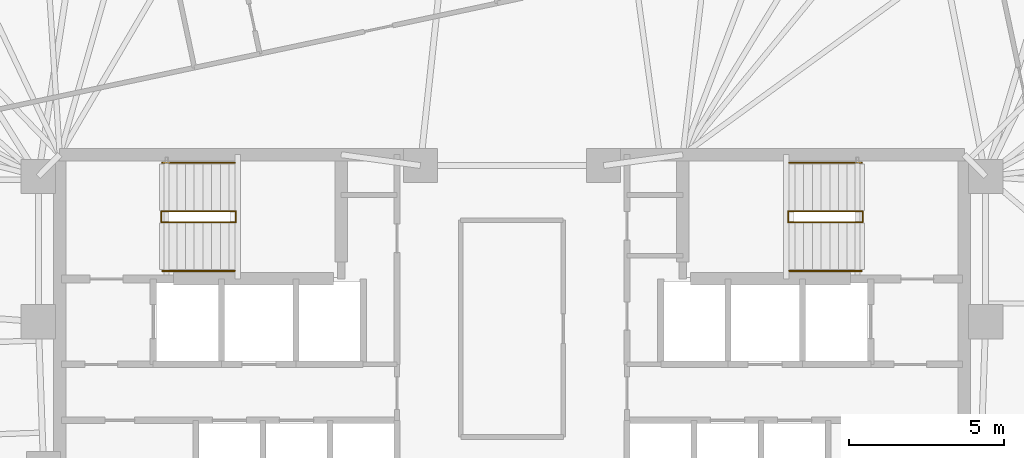
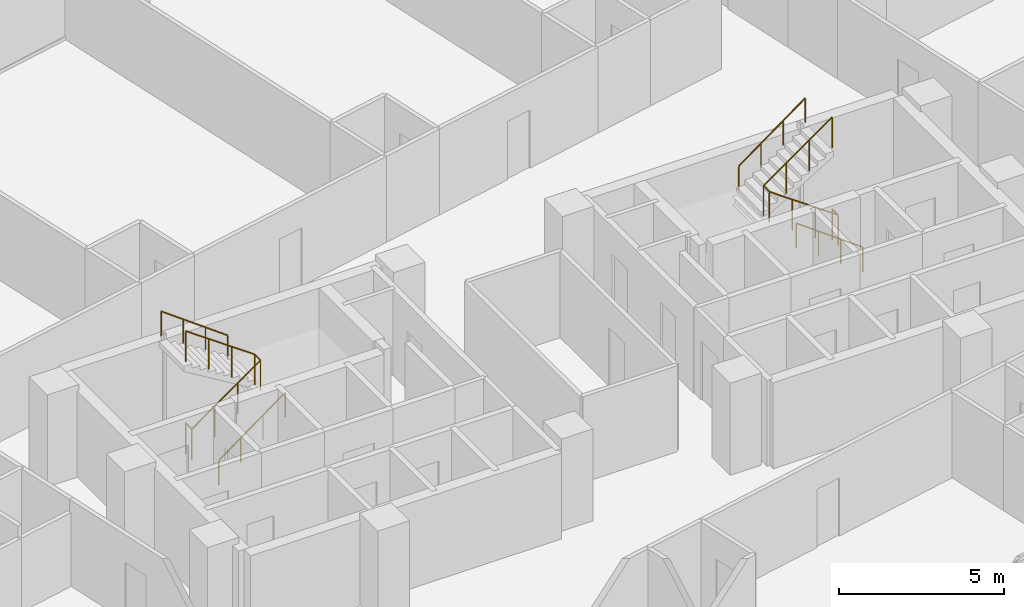
# One storey, part 19 of 19: 6 railings.
"""IFC4 building model written with IfcOpenShell, lengths in metres."""

from ifc_helpers import new_model, si_unit, direction, frame, origin, origin_2d, place, context, subcontext, project, spatial, circle, extrude, material, type_object, element, save


model = new_model("IFC4")

# Units and contexts
model_context = context("Model", 3, precision=1e-05, world=origin(), true_north=direction((0.0, 1.0)))
body_context = subcontext(model_context, "Body", "Model", "MODEL_VIEW")
ifc_project = project(units=[si_unit("LENGTHUNIT", "METRE"), si_unit("AREAUNIT", "SQUARE_METRE"), si_unit("VOLUMEUNIT", "CUBIC_METRE"), si_unit("PLANEANGLEUNIT", "RADIAN"), si_unit("MASSUNIT", "GRAM", prefix="KILO")], contexts=[model_context])

# Site, building, storey
site_placement = place(None, origin())
site = spatial("IfcSite", under=ifc_project, at=site_placement, CompositionType="ELEMENT")
building_placement = place(site_placement, origin())
building = spatial("IfcBuilding", under=site, at=building_placement, Name="Menara Jurai Vektor", CompositionType="ELEMENT")
storey_placement = place(building_placement, frame((0.0, 0.0, 154.800048828125)))
storey = spatial("IfcBuildingStorey", under=building, at=storey_placement, Name="L39", CompositionType="ELEMENT", Elevation=154.800048828125)

# Railings
ifc_material_1 = material(Name="Painted Galvanised Steel Balustrade", Category="steel")
railing_type_1 = type_object("IfcRailingType", Name="RAIL-STAIR-GUARD", PredefinedType="GUARDRAIL", material=ifc_material_1)
railing_1_placement = place(storey_placement, frame((-11.2900390625, 3.780029296875, 0.0)))
element("IfcRailing", 1, at=railing_1_placement, inside=storey, type_object=railing_type_1, Name="ST1 Stair Guardrail 1 L39", PredefinedType="GUARDRAIL", context=body_context, shape_type="SweptSolid", body=[
    extrude(circle(Radius=0.02392578125, at=origin_2d()), frame((0.0, 0.0, 1.1259765625), z_axis=(0.0, -1.0, 0.0), x_axis=(1.0, 0.0, 0.0)), (0.0, 0.0, 1.0), 0.360107421875),
    extrude(circle(Radius=0.02392578125, at=origin_2d()), frame((0.0, -0.360107421875, 1.1259765625), z_axis=(0.816048950856, 0.0, 0.577982793694), x_axis=(0.0, 1.0, 0.0)), (0.0, 0.0, 1.0), 2.941162109375),
    extrude(circle(Radius=0.02392578125, at=origin_2d()), frame((2.400146484375, -0.360107421875, 2.82568359375), z_axis=(0.0, 1.0, 0.0), x_axis=(-1.0, 0.0, 0.0)), (0.0, 0.0, 1.0), 0.360107421875),
    extrude(circle(Radius=0.02392578125, at=origin_2d()), frame((2.400146484375, 0.0, 2.82568359375), z_axis=(-0.816048950856, 0.0, 0.577982793694), x_axis=(0.0, -1.0, 0.0)), (0.0, 0.0, 1.0), 2.941162109375),
    extrude(circle(Radius=0.02099609375, at=origin_2d()), origin(), (0.0, 0.0, 1.0), 1.101806640625),
    extrude(circle(Radius=0.02099609375, at=origin_2d()), frame((0.0, -0.360107421875, 0.0)), (0.0, 0.0, 1.0), 1.101806640625),
    extrude(circle(Radius=0.02099609375, at=origin_2d()), frame((0.800048828125, -0.360107421875, 0.566650390625)), (0.0, 0.0, 1.0), 1.101806640625),
    extrude(circle(Radius=0.02099609375, at=origin_2d()), frame((1.60009765625, -0.360107421875, 1.13330078125)), (0.0, 0.0, 1.0), 1.101806640625),
    extrude(circle(Radius=0.02099609375, at=origin_2d()), frame((2.400146484375, -0.360107421875, 1.699951171875)), (0.0, 0.0, 1.0), 1.101806640625),
    extrude(circle(Radius=0.02099609375, at=origin_2d()), frame((2.400146484375, 0.0, 1.699951171875)), (0.0, 0.0, 1.0), 1.101806640625),
    extrude(circle(Radius=0.02099609375, at=origin_2d()), frame((1.60009765625, 0.0, 2.2666015625)), (0.0, 0.0, 1.0), 1.101806640625),
    extrude(circle(Radius=0.02099609375, at=origin_2d()), frame((0.800048828125, 0.0, 2.833251953125)), (0.0, 0.0, 1.0), 1.101806640625),
    extrude(circle(Radius=0.02099609375, at=origin_2d()), frame((0.0, 0.0, 3.39990234375)), (0.0, 0.0, 1.0), 1.101806640625),
])
railing_2_placement = place(storey_placement, frame((11.2900390625, 3.780029296875, 0.0)))
element("IfcRailing", 2, at=railing_2_placement, inside=storey, type_object=railing_type_1, Name="ST2 Stair Guardrail 1 L39", PredefinedType="GUARDRAIL", context=body_context, shape_type="SweptSolid", body=[
    extrude(circle(Radius=0.02392578125, at=origin_2d()), frame((0.0, 0.0, 1.1259765625), z_axis=(0.0, -1.0, 0.0), x_axis=(1.0, 0.0, 0.0)), (0.0, 0.0, 1.0), 0.360107421875),
    extrude(circle(Radius=0.02392578125, at=origin_2d()), frame((0.0, -0.360107421875, 1.1259765625), z_axis=(-0.816048950856, 0.0, 0.577982793694), x_axis=(0.0, -1.0, 0.0)), (0.0, 0.0, 1.0), 2.941162109375),
    extrude(circle(Radius=0.02392578125, at=origin_2d()), frame((-2.400146484375, -0.360107421875, 2.82568359375), z_axis=(0.0, 1.0, 0.0), x_axis=(-1.0, 0.0, 0.0)), (0.0, 0.0, 1.0), 0.360107421875),
    extrude(circle(Radius=0.02392578125, at=origin_2d()), frame((-2.400146484375, 0.0, 2.82568359375), z_axis=(0.816048950856, 0.0, 0.577982793694), x_axis=(0.0, 1.0, 0.0)), (0.0, 0.0, 1.0), 2.941162109375),
    extrude(circle(Radius=0.02099609375, at=origin_2d()), origin(), (0.0, 0.0, 1.0), 1.101806640625),
    extrude(circle(Radius=0.02099609375, at=origin_2d()), frame((0.0, -0.360107421875, 0.0)), (0.0, 0.0, 1.0), 1.101806640625),
    extrude(circle(Radius=0.02099609375, at=origin_2d()), frame((-0.800048828125, -0.360107421875, 0.566650390625)), (0.0, 0.0, 1.0), 1.101806640625),
    extrude(circle(Radius=0.02099609375, at=origin_2d()), frame((-1.60009765625, -0.360107421875, 1.13330078125)), (0.0, 0.0, 1.0), 1.101806640625),
    extrude(circle(Radius=0.02099609375, at=origin_2d()), frame((-2.400146484375, -0.360107421875, 1.699951171875)), (0.0, 0.0, 1.0), 1.101806640625),
    extrude(circle(Radius=0.02099609375, at=origin_2d()), frame((-2.400146484375, 0.0, 1.699951171875)), (0.0, 0.0, 1.0), 1.101806640625),
    extrude(circle(Radius=0.02099609375, at=origin_2d()), frame((-1.60009765625, 0.0, 2.2666015625)), (0.0, 0.0, 1.0), 1.101806640625),
    extrude(circle(Radius=0.02099609375, at=origin_2d()), frame((-0.800048828125, 0.0, 2.833251953125)), (0.0, 0.0, 1.0), 1.101806640625),
    extrude(circle(Radius=0.02099609375, at=origin_2d()), frame((0.0, 0.0, 3.39990234375)), (0.0, 0.0, 1.0), 1.101806640625),
])
ifc_material_2 = material(Name="Brushed Stainless Steel Handrail", Category="steel")
railing_type_2 = type_object("IfcRailingType", Name="RAIL-STAIR-HAND", PredefinedType="HANDRAIL", material=ifc_material_2)
railing_3_placement = place(storey_placement, frame((-11.25, 1.860107421875, 0.0)))
element("IfcRailing", 3, at=railing_3_placement, inside=storey, type_object=railing_type_2, Name="ST1 Stair Handrail 1 L39", PredefinedType="HANDRAIL", context=body_context, shape_type="SweptSolid", body=[
    extrude(circle(Radius=0.02392578125, at=origin_2d()), frame((0.0, 0.0, 0.89599609375), z_axis=(0.806642406755, 0.0, 0.591039785145), x_axis=(0.0, 1.0, 0.0)), (0.0, 0.0, 1.0), 2.876220703125),
    extrude(circle(Radius=0.02099609375, at=origin_2d()), origin(), (0.0, 0.0, 1.0), 0.871826171875),
    extrude(circle(Radius=0.02099609375, at=origin_2d()), frame((0.7734375, 0.0, 0.566650390625)), (0.0, 0.0, 1.0), 0.871826171875),
    extrude(circle(Radius=0.02099609375, at=origin_2d()), frame((1.546630859375, 0.0, 1.13330078125)), (0.0, 0.0, 1.0), 0.871826171875),
    extrude(circle(Radius=0.02099609375, at=origin_2d()), frame((2.320068359375, 0.0, 1.699951171875)), (0.0, 0.0, 1.0), 0.871826171875),
])
for number, where, name in (
    (4, (-8.929931640625, 5.340087890625, 1.699951171875), "ST1 Stair Handrail 2 L39"),
    (5, (11.25, 1.860107421875, 0.0), "ST2 Stair Handrail 1 L39"),
):
    element("IfcRailing", number, at=place(storey_placement, frame(where)), inside=storey, type_object=railing_type_2, Name=name, PredefinedType="HANDRAIL", context=body_context, shape_type="SweptSolid", body=[
        extrude(circle(Radius=0.02392578125, at=origin_2d()), frame((0.0, 0.0, 0.89599609375), z_axis=(-0.806642406755, 0.0, 0.591039785145), x_axis=(0.0, -1.0, 0.0)), (0.0, 0.0, 1.0), 2.876220703125),
        extrude(circle(Radius=0.02099609375, at=origin_2d()), origin(), (0.0, 0.0, 1.0), 0.871826171875),
        extrude(circle(Radius=0.02099609375, at=origin_2d()), frame((-0.7734375, 0.0, 0.566650390625)), (0.0, 0.0, 1.0), 0.871826171875),
        extrude(circle(Radius=0.02099609375, at=origin_2d()), frame((-1.546630859375, 0.0, 1.13330078125)), (0.0, 0.0, 1.0), 0.871826171875),
        extrude(circle(Radius=0.02099609375, at=origin_2d()), frame((-2.320068359375, 0.0, 1.699951171875)), (0.0, 0.0, 1.0), 0.871826171875),
    ])
railing_4_placement = place(storey_placement, frame((8.929931640625, 5.340087890625, 1.699951171875)))
element("IfcRailing", 6, at=railing_4_placement, inside=storey, type_object=railing_type_2, Name="ST2 Stair Handrail 2 L39", PredefinedType="HANDRAIL", context=body_context, shape_type="SweptSolid", body=[
    extrude(circle(Radius=0.02392578125, at=origin_2d()), frame((0.0, 0.0, 0.89599609375), z_axis=(0.806642406755, 0.0, 0.591039785145), x_axis=(0.0, 1.0, 0.0)), (0.0, 0.0, 1.0), 2.876220703125),
    extrude(circle(Radius=0.02099609375, at=origin_2d()), origin(), (0.0, 0.0, 1.0), 0.871826171875),
    extrude(circle(Radius=0.02099609375, at=origin_2d()), frame((0.7734375, 0.0, 0.566650390625)), (0.0, 0.0, 1.0), 0.871826171875),
    extrude(circle(Radius=0.02099609375, at=origin_2d()), frame((1.546630859375, 0.0, 1.13330078125)), (0.0, 0.0, 1.0), 0.871826171875),
    extrude(circle(Radius=0.02099609375, at=origin_2d()), frame((2.320068359375, 0.0, 1.699951171875)), (0.0, 0.0, 1.0), 0.871826171875),
])

save(model, "model.ifc")
